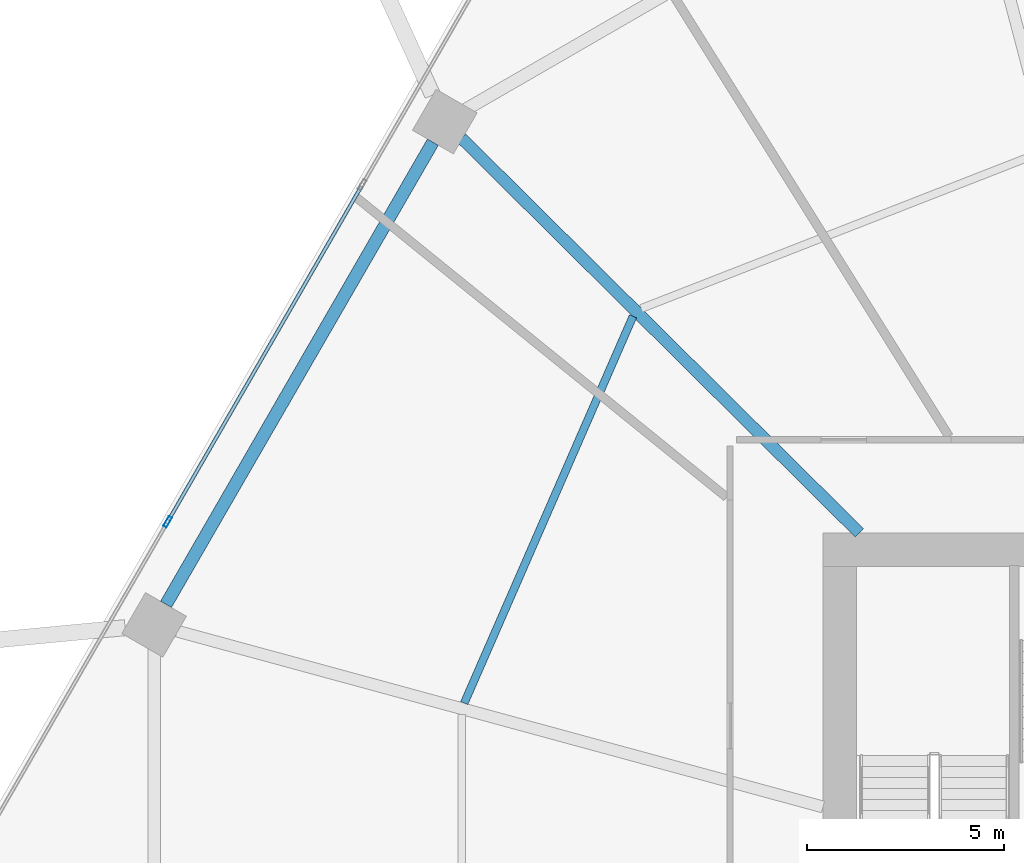
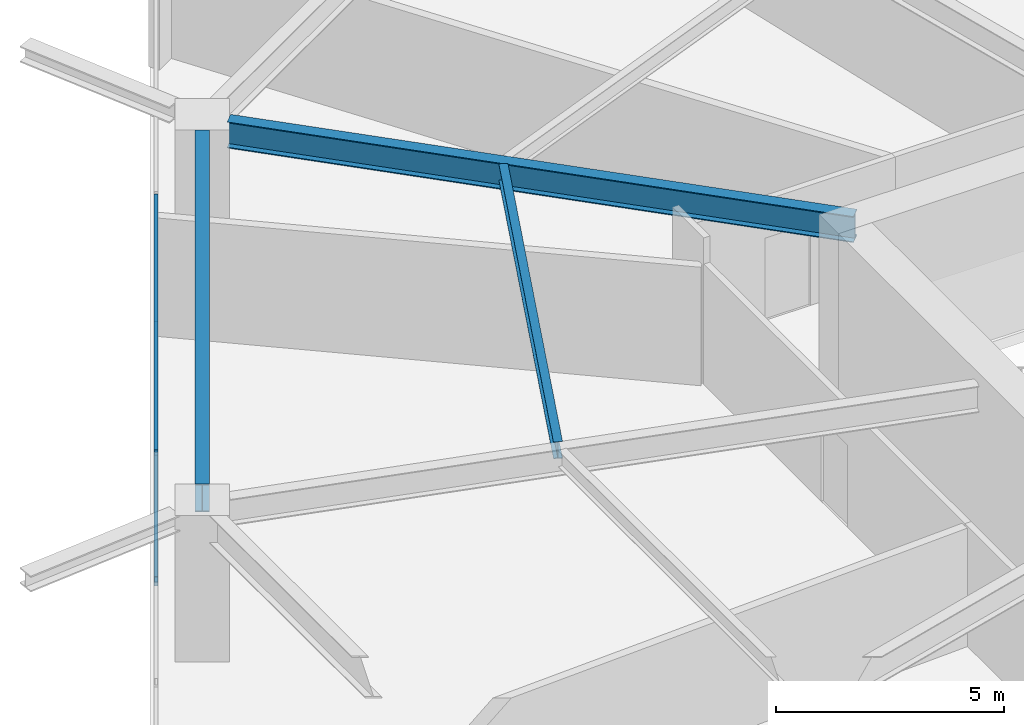
# One storey, part 13 of 25: 3 beams, 3 members, 1 element without a shape of its own.
"""IFC4 building model written with IfcOpenShell, lengths in metres."""

from ifc_helpers import new_model, si_unit, direction, frame, origin, origin_2d, place, context, subcontext, project, spatial, hollow_rectangle, i_section, extrude, material, material_profile, profile_set, type_object, element, aggregate, save


model = new_model("IFC4")

# Units and contexts
model_context = context("Model", 3, precision=1e-05, world=origin(), true_north=direction((0.0, 1.0)))
body_context = subcontext(model_context, "Body", "Model", "MODEL_VIEW")
ifc_project = project(units=[si_unit("LENGTHUNIT", "METRE"), si_unit("AREAUNIT", "SQUARE_METRE"), si_unit("VOLUMEUNIT", "CUBIC_METRE"), si_unit("PLANEANGLEUNIT", "RADIAN"), si_unit("MASSUNIT", "GRAM", prefix="KILO")], contexts=[model_context])

# Site, building, storey
site_placement = place(None, origin())
site = spatial("IfcSite", under=ifc_project, at=site_placement, CompositionType="ELEMENT")
building_placement = place(site_placement, origin())
building = spatial("IfcBuilding", under=site, at=building_placement, Name="Zuhravey Tower", CompositionType="ELEMENT")
storey_placement = place(building_placement, frame((0.0, 0.0, 37.199951171875)))
storey = spatial("IfcBuildingStorey", under=building, at=storey_placement, Name="L09", CompositionType="ELEMENT", Elevation=37.199951171875)

# Curtain wall, members
ifc_material_1 = material(Name="Thermally broken anodised aluminium", Category="aluminium")
curtain_wall_type = type_object("IfcCurtainWallType", Name="School Low-E Unitised Curtain Wall CW1", PredefinedType="NOTDEFINED", material=ifc_material_1)
curtain_wall_placement = place(storey_placement, origin())
curtain_wall = element("IfcCurtainWall", 1, at=curtain_wall_placement, inside=storey, type_object=curtain_wall_type, Name="L09 CW1 CW-L09-F3-1", PredefinedType="NOTDEFINED")
ifc_material_2 = material(Name="Anodised aluminium", Category="aluminium")
ifc_material_profile_1 = material_profile(ifc_material_2, hollow_rectangle(XDim=0.090087890625, YDim=0.284912109375, WallThickness=0.0048828125, at=origin_2d()), Name="ALU-RHS-90x285x5")
ifc_profile_set_1 = profile_set([ifc_material_profile_1], Name="Anodised aluminium")
member_type_1 = type_object("IfcMemberType", Name="Curtain-Wall Mullion 90x180", PredefinedType="MULLION", material=ifc_profile_set_1)
member_1_placement = place(storey_placement, frame((8.45458984375, 42.20703125, 0.0), z_axis=(0.0, 0.0, 1.0), x_axis=(-0.86602552265, 0.499999794119, 0.0)))
member_1 = element("IfcMember", 2, at=member_1_placement, type_object=member_type_1, Name="CW1 mullion 2", PredefinedType="MULLION", context=body_context, shape_type="SweptSolid", body=[
    extrude(hollow_rectangle(XDim=0.090087890625, YDim=0.284912109375, WallThickness=0.0048828125, at=origin_2d()), origin(), (0.0, 0.0, 1.0), 3.491943359375),
])
ifc_material_profile_2 = material_profile(ifc_material_2, hollow_rectangle(XDim=0.090087890625, YDim=0.14990234375, WallThickness=0.0048828125, at=origin_2d()), Name="ALU-RHS-90x150x5")
ifc_profile_set_2 = profile_set([ifc_material_profile_2], Name="Anodised aluminium")
member_type_2 = type_object("IfcMemberType", Name="Curtain-Wall Transom 90x150", PredefinedType="USERDEFINED", material=ifc_profile_set_2)
member_2_placement = place(storey_placement, frame((8.47705078125, 42.245849609375, 0.045166015625), z_axis=(0.499990498062, 0.866030889661, 0.0), x_axis=(-0.866030889661, 0.499990498062, 0.0)))
member_2 = element("IfcMember", 3, at=member_2_placement, type_object=member_type_2, Name="CW1 transom 2.1", ObjectType="TRANSOM", PredefinedType="USERDEFINED", context=body_context, shape_type="SweptSolid", body=[
    extrude(hollow_rectangle(XDim=0.090087890625, YDim=0.14990234375, WallThickness=0.0048828125, at=origin_2d()), origin(), (0.0, 0.0, 1.0), 9.776611328125),
])
member_3_placement = place(storey_placement, frame((8.47705078125, 42.245849609375, 3.447021484375), z_axis=(0.499990498062, 0.866030889661, 0.0), x_axis=(-0.866030889661, 0.499990498062, 0.0)))
member_3 = element("IfcMember", 4, at=member_3_placement, type_object=member_type_2, Name="CW1 transom 2.2", ObjectType="TRANSOM", PredefinedType="USERDEFINED", context=body_context, shape_type="SweptSolid", body=[
    extrude(hollow_rectangle(XDim=0.090087890625, YDim=0.14990234375, WallThickness=0.0048828125, at=origin_2d()), origin(), (0.0, 0.0, 1.0), 9.776611328125),
])
aggregate(curtain_wall, [member_1, member_2, member_3])

# Beams
ifc_material_3 = material(Name="Steel SM355", Category="steel")
ifc_material_profile_3 = material_profile(ifc_material_3, i_section(OverallWidth=0.320068359375, OverallDepth=0.75, WebThickness=0.013916015625, FlangeThickness=0.02490234375, at=origin_2d()), Name="H-750x320x14x25")
ifc_profile_set_3 = profile_set([ifc_material_profile_3], Name="Steel SM355")
beam_type_1 = type_object("IfcBeamType", Name="Perimeter Ring Beam H750x320", PredefinedType="BEAM", material=ifc_profile_set_3)
beam_1_placement = place(storey_placement, frame((15.179443359375, 51.834716796875, 3.545166015625), z_axis=(-0.499999877243, -0.866025474658, 0.0), x_axis=(0.866025474658, -0.499999877243, 0.0)))
element("IfcBeam", 5, at=beam_1_placement, inside=storey, type_object=beam_type_1, Name="L09 PB1 BM-L09-PB-05", PredefinedType="BEAM", context=body_context, shape_type="SweptSolid", body=[
    extrude(i_section(OverallWidth=0.320068359375, OverallDepth=0.75, WebThickness=0.013916015625, FlangeThickness=0.02490234375, at=origin_2d()), origin(), (0.0, 0.0, 1.0), 13.5341796875),
])
ifc_material_profile_4 = material_profile(ifc_material_3, i_section(OverallWidth=0.300048828125, OverallDepth=0.699951171875, WebThickness=0.012939453125, FlangeThickness=0.02392578125, at=origin_2d()), Name="H-700x300x13x24")
ifc_profile_set_4 = profile_set([ifc_material_profile_4], Name="Steel SM355")
beam_type_2 = type_object("IfcBeamType", Name="Radial Primary Girder H700x300", PredefinedType="BEAM", material=ifc_profile_set_4)
beam_2_placement = place(storey_placement, frame((25.992919921875, 41.927978515625, 3.570068359375), z_axis=(-0.709902823282, 0.704299639, 0.0), x_axis=(-0.704299639, -0.709902823282, 0.0)))
element("IfcBeam", 6, at=beam_2_placement, inside=storey, type_object=beam_type_2, Name="L09 RG1 BM-L09-RAD-05", PredefinedType="BEAM", context=body_context, shape_type="SweptSolid", body=[
    extrude(i_section(OverallWidth=0.300048828125, OverallDepth=0.699951171875, WebThickness=0.012939453125, FlangeThickness=0.02392578125, at=origin_2d()), origin(), (0.0, 0.0, 1.0), 14.204345703125),
])
ifc_material_profile_5 = material_profile(ifc_material_3, i_section(OverallWidth=0.199951171875, OverallDepth=0.449951171875, WebThickness=0.009033203125, FlangeThickness=0.013916015625, at=origin_2d()), Name="H-450x200x9x14")
ifc_profile_set_5 = profile_set([ifc_material_profile_5], Name="Steel SM355")
beam_type_3 = type_object("IfcBeamType", Name="Secondary Floor Joist H450x200", PredefinedType="JOIST", material=ifc_profile_set_5)
beam_3_placement = place(storey_placement, frame((20.2548828125, 47.41845703125, 3.695068359375), z_axis=(-0.399923551578, -0.916548500022, 0.0), x_axis=(0.916548500022, -0.399923551578, 0.0)))
element("IfcBeam", 7, at=beam_3_placement, inside=storey, type_object=beam_type_3, Name="L09 SJ1 BM-L09-SJ-05-1", PredefinedType="JOIST", context=body_context, shape_type="SweptSolid", body=[
    extrude(i_section(OverallWidth=0.199951171875, OverallDepth=0.449951171875, WebThickness=0.009033203125, FlangeThickness=0.013916015625, at=origin_2d()), origin(), (0.0, 0.0, 1.0), 10.70263671875),
])

save(model, "model.ifc")
